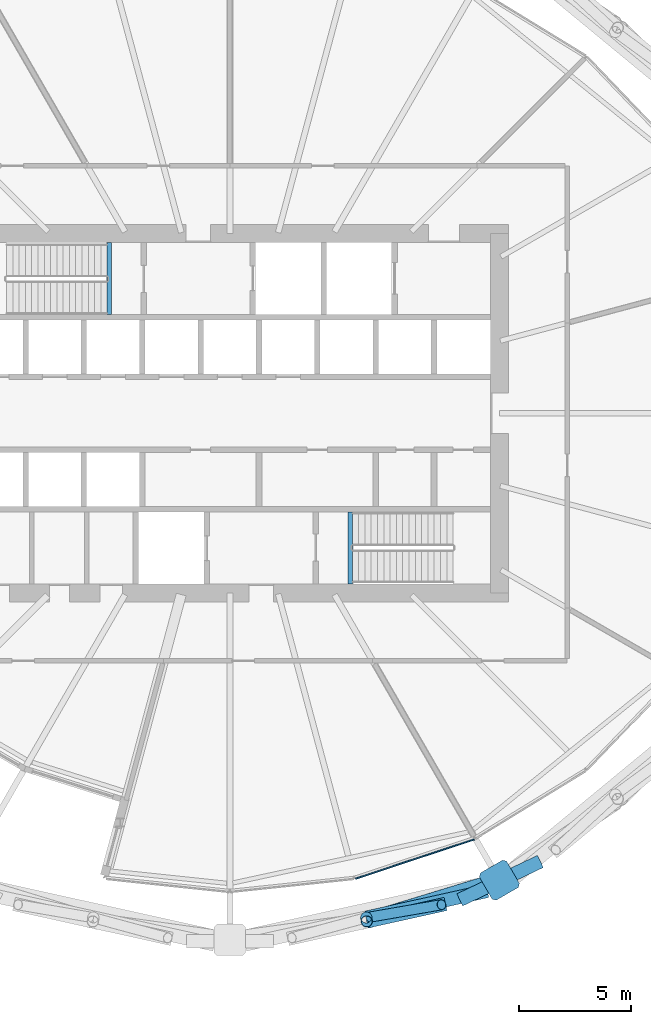
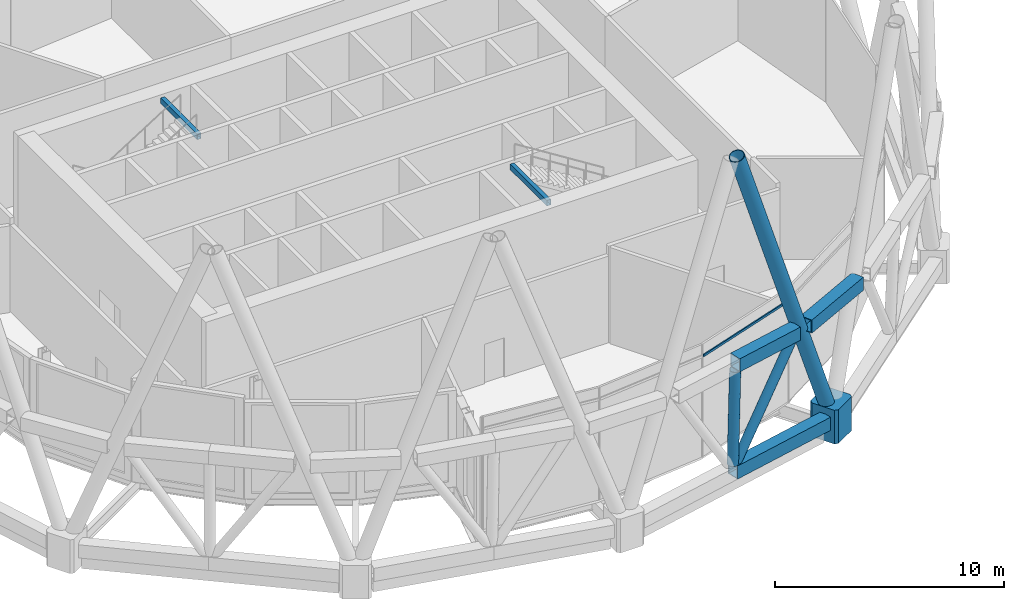
# One storey, part 7 of 33: 8 members, 2 beams, 1 element without a shape of its own.
"""IFC4 building model written with IfcOpenShell, lengths in metres."""

from ifc_helpers import new_model, si_unit, direction, frame, origin, origin_2d, place, context, subcontext, project, spatial, polyline, rectangle, hollow_rectangle, hollow_circle, outline, extrude, material, material_profile, profile_set, type_object, element, aggregate, save


model = new_model("IFC4")

# Units and contexts
model_context = context("Model", 3, precision=1e-05, world=origin(), true_north=direction((0.0, 1.0)))
body_context = subcontext(model_context, "Body", "Model", "MODEL_VIEW")
ifc_project = project(units=[si_unit("LENGTHUNIT", "METRE"), si_unit("AREAUNIT", "SQUARE_METRE"), si_unit("VOLUMEUNIT", "CUBIC_METRE"), si_unit("PLANEANGLEUNIT", "RADIAN"), si_unit("MASSUNIT", "GRAM", prefix="KILO")], contexts=[model_context])

# Site, building, storey
site_placement = place(None, origin())
site = spatial("IfcSite", under=ifc_project, at=site_placement, CompositionType="ELEMENT")
building_placement = place(site_placement, origin())
building = spatial("IfcBuilding", under=site, at=building_placement, Name="Rimbun Link Towers", CompositionType="ELEMENT")
storey_placement = place(building_placement, frame((0.0, 0.0, 75.60009765625)))
storey = spatial("IfcBuildingStorey", under=building, at=storey_placement, Name="L18", CompositionType="ELEMENT", Elevation=75.60009765625)

# Members
ifc_material_1 = material(Name="Steel S460N", Category="steel")
ifc_material_profile_1 = material_profile(ifc_material_1, hollow_rectangle(XDim=0.60009765625, YDim=0.699951171875, WallThickness=0.034912109375, at=origin_2d()), Name="Belt truss chord BOX 600x700x35")
ifc_profile_set_1 = profile_set([ifc_material_profile_1], Name="Steel S460N")
member_type_1 = type_object("IfcMemberType", Name="Belt truss chord BOX 600x700x35", PredefinedType="CHORD", material=ifc_profile_set_1)
member_1_placement = place(storey_placement, frame((-21.524169921875, -21.63818359375, 6.0), z_axis=(0.902615066125, 0.430448652459, 0.0), x_axis=(-0.430448652459, 0.902615066125, 0.0)))
element("IfcMember", 1, at=member_1_placement, inside=storey, type_object=member_type_1, Name="Belt truss chord T1 L18 top 10", PredefinedType="CHORD", context=body_context, shape_type="SweptSolid", body=[
    extrude(hollow_rectangle(XDim=0.60009765625, YDim=0.699951171875, WallThickness=0.034912109375, at=origin_2d()), origin(), (0.0, 0.0, 1.0), 3.9736328125),
])
member_2_placement = place(storey_placement, frame((-25.680908203125, -22.4306640625, 0.18994140625), z_axis=(0.976355546465, 0.216170874279, 0.0), x_axis=(-0.216170874279, 0.976355546465, 0.0)))
element("IfcMember", 2, at=member_2_placement, inside=storey, type_object=member_type_1, Name="Belt truss chord T1 L18 bottom 19", PredefinedType="CHORD", context=body_context, shape_type="SweptSolid", body=[
    extrude(hollow_rectangle(XDim=0.60009765625, YDim=0.699951171875, WallThickness=0.034912109375, at=origin_2d()), origin(), (0.0, 0.0, 1.0), 5.513671875),
])
member_3_placement = place(storey_placement, frame((-25.661865234375, -22.59814453125, 6.0), z_axis=(0.976356305139, 0.216167447632, 0.0), x_axis=(-0.216167447632, 0.976356305139, 0.0)))
element("IfcMember", 3, at=member_3_placement, inside=storey, type_object=member_type_1, Name="Belt truss chord T1 L18 top 31", PredefinedType="CHORD", context=body_context, shape_type="SweptSolid", body=[
    extrude(hollow_rectangle(XDim=0.60009765625, YDim=0.699951171875, WallThickness=0.034912109375, at=origin_2d()), origin(), (0.0, 0.0, 1.0), 3.591552734375),
])
ifc_material_2 = material(Name="Steel S355J2H", Category="steel")
ifc_material_profile_2 = material_profile(ifc_material_2, hollow_circle(Radius=0.228515625, WallThickness=0.01611328125, at=origin_2d()), Name="Belt truss diagonal CHS 457x16")
ifc_profile_set_2 = profile_set([ifc_material_profile_2], Name="Steel S355J2H")
member_type_2 = type_object("IfcMemberType", Name="Belt truss diagonal CHS 457x16", PredefinedType="BRACE", material=ifc_profile_set_2)
member_4_placement = place(storey_placement, frame((-25.5, -22.3994140625, 0.48779296875), z_axis=(0.516682153979, 0.089230238491, 0.851514836217), x_axis=(-0.170179375016, 0.985413101354, 0.0)))
element("IfcMember", 4, at=member_4_placement, inside=storey, type_object=member_type_2, Name="Belt truss diagonal T1 L18 19", PredefinedType="BRACE", context=body_context, shape_type="SweptSolid", body=[
    extrude(hollow_circle(Radius=0.228515625, WallThickness=0.01611328125, at=origin_2d()), origin(), (0.0, 0.0, 1.0), 6.123291015625),
])
ifc_material_3 = material(Name="Steel S355J2H", Category="steel")
ifc_material_profile_3 = material_profile(ifc_material_3, hollow_circle(Radius=0.25390625, WallThickness=0.02001953125, at=origin_2d()), Name="Belt truss strut CHS 508x20")
ifc_profile_set_3 = profile_set([ifc_material_profile_3], Name="Steel S355J2H")
member_type_3 = type_object("IfcMemberType", Name="Belt truss strut CHS 508x20", PredefinedType="STRUT", material=ifc_profile_set_3)
member_5_placement = place(storey_placement, frame((-25.680908203125, -22.4306640625, 0.539794921875), z_axis=(0.003724504363, -0.032756538375, 0.999456420891), x_axis=(0.99359786667, 0.112974684548, 0.0)))
element("IfcMember", 5, at=member_5_placement, inside=storey, type_object=member_type_3, Name="Belt truss strut T1 L18 09", PredefinedType="STRUT", context=body_context, shape_type="SweptSolid", body=[
    extrude(hollow_circle(Radius=0.25390625, WallThickness=0.02001953125, at=origin_2d()), origin(), (0.0, 0.0, 1.0), 5.11279296875),
])

# Curtain wall, member
ifc_material_4 = material(Name="Aluminium 6063-T6 louvre wall", Category="aluminium")
curtain_wall_type = type_object("IfcCurtainWallType", Name="CW6 plant floor louvre wall", PredefinedType="NOTDEFINED", material=ifc_material_4)
curtain_wall_placement = place(storey_placement, origin())
curtain_wall = element("IfcCurtainWall", 6, at=curtain_wall_placement, inside=storey, type_object=curtain_wall_type, Name="CW6 L18 T1", PredefinedType="NOTDEFINED")
ifc_material_5 = material(Name="Aluminium 6063-T6", Category="aluminium")
ifc_material_profile_4 = material_profile(ifc_material_5, rectangle(XDim=0.06005859375, YDim=0.1201171875, at=origin_2d()), Name="TRANSOM 60X120")
ifc_profile_set_4 = profile_set([ifc_material_profile_4], Name="Aluminium 6063-T6")
member_type_4 = type_object("IfcMemberType", Name="CW6 transom 60X120", PredefinedType="USERDEFINED", material=ifc_profile_set_4)
member_6_placement = place(storey_placement, frame((-20.875732421875, -18.9462890625, 5.39990234375), z_axis=(-0.949238297385, -0.314557871904, 0.0), x_axis=(0.314557871904, -0.949238297385, 0.0)))
member_6 = element("IfcMember", 7, at=member_6_placement, type_object=member_type_4, Name="CW6 transom", ObjectType="TRANSOM", PredefinedType="USERDEFINED", context=body_context, shape_type="SweptSolid", body=[
    extrude(rectangle(XDim=0.06005859375, YDim=0.1201171875, at=origin_2d()), origin(), (0.0, 0.0, 1.0), 5.572021484375),
])
aggregate(curtain_wall, [member_6])

# Members
ifc_material_6 = material(Name="Steel S460NH", Category="steel")
ifc_material_profile_5 = material_profile(ifc_material_6, hollow_circle(Radius=0.355712890625, WallThickness=0.031982421875, at=origin_2d()), Name="Diagrid diagonal CHS 711x32")
ifc_profile_set_5 = profile_set([ifc_material_profile_5], Name="Steel S460NH")
member_type_5 = type_object("IfcMemberType", Name="Diagrid diagonal CHS 711x32", PredefinedType="BRACE", material=ifc_profile_set_5)
member_7_placement = place(storey_placement, frame((-19.923828125, -20.81103515625, 0.470703125), z_axis=(-0.321408897175, -0.098106206301, 0.941844728765), x_axis=(0.291940729654, -0.956436412089, 0.0)))
element("IfcMember", 8, at=member_7_placement, inside=storey, type_object=member_type_5, Name="Diagrid diagonal T1 L18-L22 20a", PredefinedType="BRACE", context=body_context, shape_type="SweptSolid", body=[
    extrude(hollow_circle(Radius=0.355712890625, WallThickness=0.031982421875, at=origin_2d()), origin(), (0.0, 0.0, 1.0), 17.474365234375),
])
ifc_material_7 = material(Name="Cast steel G20Mn5+QT, Rp0.2 300 MPa", Category="steel")
ifc_material_profile_6 = material_profile(ifc_material_7, outline(polyline([(0.699951171875, -0.570068359375), (0.699951171875, 0.570068359375), (0.570068359375, 0.699951171875), (-0.570068359375, 0.699951171875), (-0.699951171875, 0.570068359375), (-0.699951171875, -0.570068359375), (-0.570068359375, -0.699951171875), (0.570068359375, -0.699951171875), (0.699951171875, -0.570068359375)])), Name="NODE 1400x1400")
ifc_profile_set_6 = profile_set([ifc_material_profile_6], Name="Cast steel G20Mn5+QT, Rp0.2 300 MPa")
member_type_6 = type_object("IfcMemberType", Name="Diagrid node cast 1400", PredefinedType="USERDEFINED", material=ifc_profile_set_6)
member_8_placement = place(storey_placement, frame((-19.76318359375, -20.761962890625, -0.900146484375), z_axis=(0.0, 0.0, 1.0), x_axis=(0.5, -0.866025403784, 0.0)))
element("IfcMember", 9, at=member_8_placement, inside=storey, type_object=member_type_6, Name="Diagrid node L18 20", ObjectType="Diagrid node", PredefinedType="USERDEFINED", context=body_context, shape_type="SweptSolid", body=[
    extrude(outline(polyline([(0.699951171875, -0.570068359375), (0.699951171875, 0.570068359375), (0.570068359375, 0.699951171875), (-0.570068359375, 0.699951171875), (-0.699951171875, 0.570068359375), (-0.699951171875, -0.570068359375), (-0.570068359375, -0.699951171875), (0.570068359375, -0.699951171875), (0.699951171875, -0.570068359375)])), origin(), (0.0, 0.0, 1.0), 1.800048828125),
])

# Beams
ifc_material_8 = material(Name="Steel S355J2", Category="steel")
ifc_material_profile_7 = material_profile(ifc_material_8, hollow_rectangle(XDim=0.199951171875, YDim=0.300048828125, WallThickness=0.011962890625, at=origin_2d()), Name="BOX 300x200x12")
ifc_profile_set_7 = profile_set([ifc_material_profile_7], Name="Steel S355J2")
beam_type = type_object("IfcBeamType", Name="Stair trimmer beam BOX 300x200x12", PredefinedType="BEAM", material=ifc_profile_set_7)
for number, where, z_axis, x_axis, name in (
    (10, (-37.10009765625, 7.60009765625, 5.68994140625), (0.0, -1.0, 0.0), (1.0, 0.0, 0.0), "L18 ST1 stair beam 1"),
    (11, (-26.39990234375, -7.60009765625, 5.68994140625), (0.0, 1.0, 0.0), (-1.0, 0.0, 0.0), "L18 ST2 stair beam 1"),
):
    element("IfcBeam", number, at=place(storey_placement, frame(where, z_axis=z_axis, x_axis=x_axis)), inside=storey, type_object=beam_type, Name=name, PredefinedType="BEAM", context=body_context, shape_type="SweptSolid", body=[
        extrude(hollow_rectangle(XDim=0.199951171875, YDim=0.300048828125, WallThickness=0.011962890625, at=origin_2d()), origin(), (0.0, 0.0, 1.0), 3.2001953125),
    ])

save(model, "model.ifc")
